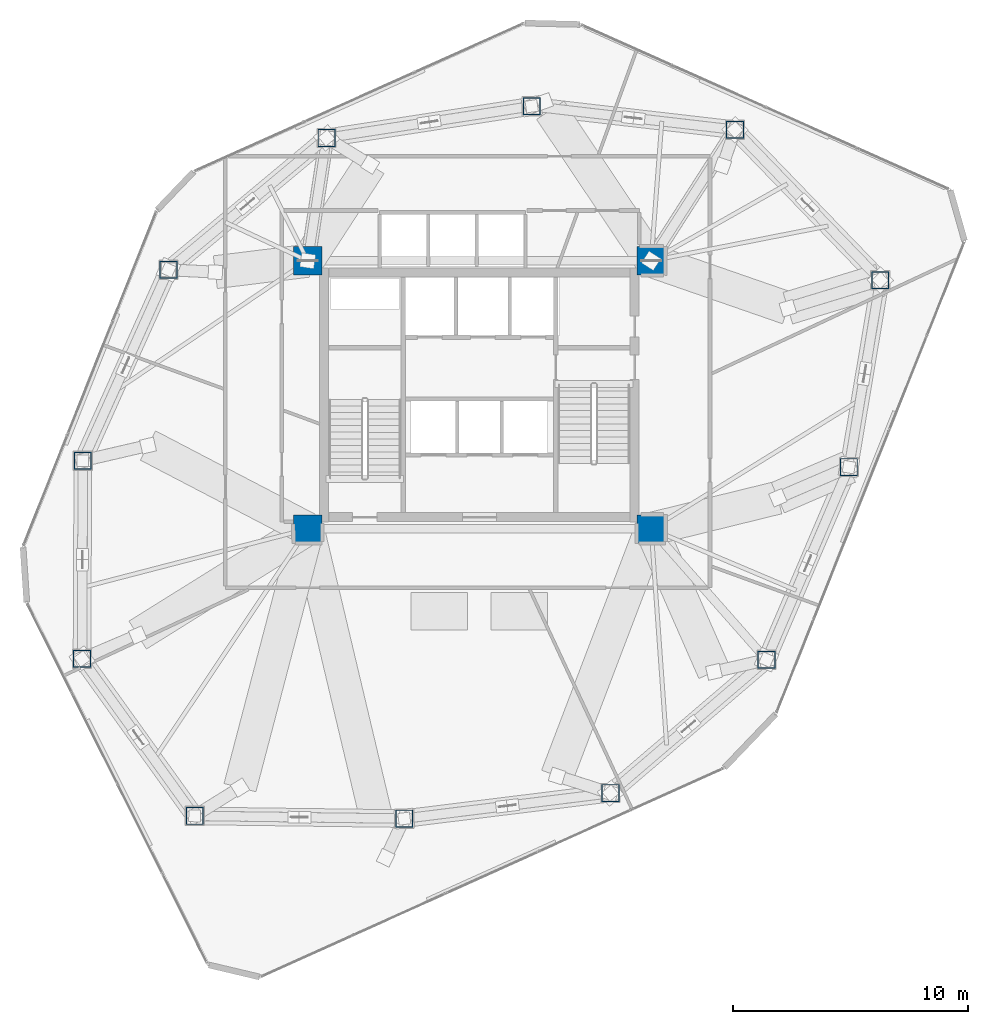
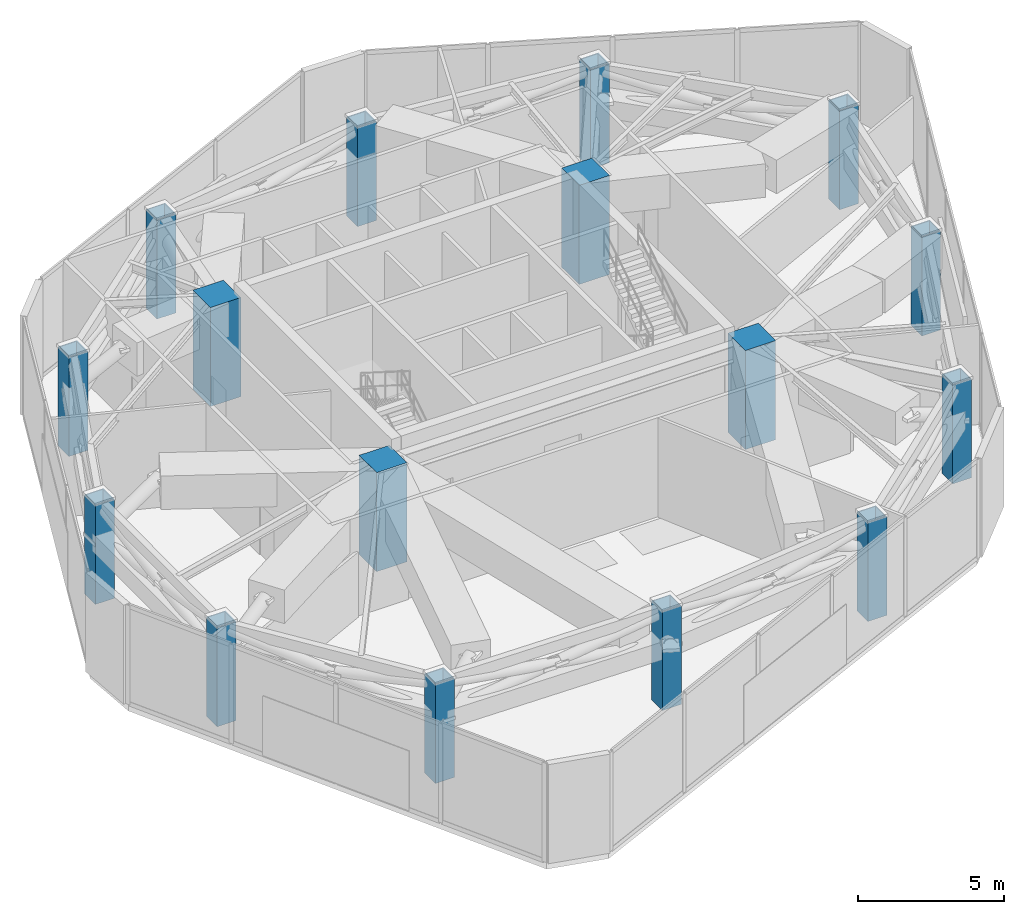
# One storey, part 1 of 21: 16 columns.
"""IFC4 building model written with IfcOpenShell, lengths in metres."""

from ifc_helpers import new_model, si_unit, direction, frame, origin, origin_2d, place, context, subcontext, project, spatial, rectangle, hollow_rectangle, extrude, material, material_profile, profile_set, type_object, element, save


model = new_model("IFC4")

# Units and contexts
model_context = context("Model", 3, precision=1e-05, world=origin(), true_north=direction((0.0, 1.0)))
body_context = subcontext(model_context, "Body", "Model", "MODEL_VIEW")
ifc_project = project(units=[si_unit("LENGTHUNIT", "METRE"), si_unit("AREAUNIT", "SQUARE_METRE"), si_unit("VOLUMEUNIT", "CUBIC_METRE"), si_unit("PLANEANGLEUNIT", "RADIAN"), si_unit("MASSUNIT", "GRAM", prefix="KILO")], contexts=[model_context])

# Site, building, storey
site_placement = place(None, origin())
site = spatial("IfcSite", under=ifc_project, at=site_placement, CompositionType="ELEMENT")
building_placement = place(site_placement, origin())
building = spatial("IfcBuilding", under=site, at=building_placement, Name="Talar Marvaseh", CompositionType="ELEMENT")
storey_placement = place(building_placement, frame((0.0, 0.0, 162.39990234375)))
storey = spatial("IfcBuildingStorey", under=building, at=storey_placement, Name="L42", CompositionType="ELEMENT", Elevation=162.39990234375)

# Columns
ifc_material_1 = material(Name="Steel S460", Category="steel")
ifc_material_profile_1 = material_profile(ifc_material_1, hollow_rectangle(XDim=0.75, YDim=0.75, WallThickness=0.0400390625, at=origin_2d()), Name="BOX750x750x40")
ifc_profile_set_1 = profile_set([ifc_material_profile_1], Name="Steel S460")
column_type_1 = type_object("IfcColumnType", Name="Belt Truss Post BOX750x750x40", PredefinedType="COLUMN", material=ifc_profile_set_1)
for number, where, z_axis, x_axis, name in (
    (1, (36.865966796875, 42.470947265625, 0.0), (0.0, 0.0, 1.0), (1.0, 0.0, 0.0), "L42 Belt Truss Post BOX750x750x40"),
    (2, (43.0439453125, 36.075927734375, 0.0), (0.0, 0.0, 1.0), (1.0, 0.0, 0.0), "L42 Belt Truss Post BOX750x750x40"),
    (3, (41.708984375, 28.1279296875, 0.0), (0.0, 0.0, 1.0), (1.0, 0.0, 0.0), "L42 Belt Truss Post BOX750x750x40"),
    (4, (38.2060546875, 19.94091796875, 0.0), (0.0, 0.0, 1.0), (1.0, 0.0, 0.0), "L42 Belt Truss Post BOX750x750x40"),
    (5, (31.570068359375, 14.26806640625, 0.0), (0.0, 0.0, 1.0), (1.0, 0.0, 0.0), "L42 Belt Truss Post BOX750x750x40"),
    (6, (22.804931640625, 13.18310546875, 0.0), (0.0, 0.0, 1.0), (1.0, 0.0, 0.0), "L42 Belt Truss Post BOX750x750x40"),
    (7, (13.89111328125, 13.299072265625, 0.0), (0.0, 0.0, 1.0), (1.0, 0.0, 0.0), "L42 Belt Truss Post BOX750x750x40"),
    (8, (9.10107421875, 19.97705078125, 0.0), (0.0, 0.0, 1.0), (1.0, 0.0, 0.0), "L42 Belt Truss Post BOX750x750x40"),
    (9, (9.137939453125, 28.402099609375, 0.0), (0.0, 0.0, 1.0), (1.0, 0.0, 0.0), "L42 Belt Truss Post BOX750x750x40"),
    (10, (12.780029296875, 36.51708984375, 0.0), (0.0, 0.0, 1.0), (1.0, 0.0, 0.0), "L42 Belt Truss Post BOX750x750x40"),
    (11, (19.5009765625, 42.123046875, 0.0), (0.0, 0.0, 1.0), (1.0, 0.0, 0.0), "L42 Belt Truss Post BOX750x750x40"),
    (12, (28.221923828125, 43.471923828125, 0.0), (0.0, 0.0, 1.0), (1.0, 0.0, 0.0), "L42 Belt Truss Post BOX750x750x40"),
):
    element("IfcColumn", number, at=place(storey_placement, frame(where, z_axis=z_axis, x_axis=x_axis)), inside=storey, type_object=column_type_1, Name=name, PredefinedType="COLUMN", context=body_context, shape_type="SweptSolid", body=[
        extrude(hollow_rectangle(XDim=0.75, YDim=0.75, WallThickness=0.0400390625, at=origin_2d()), origin(), (0.0, 0.0, 1.0), 4.150146484375),
    ])
ifc_material_2 = material(Name="Concrete C60/75", Category="concrete")
ifc_material_profile_2 = material_profile(ifc_material_2, rectangle(XDim=1.199951171875, YDim=1.199951171875, at=origin_2d()), Name="RC1200x1200")
ifc_profile_set_2 = profile_set([ifc_material_profile_2], Name="Concrete C60/75")
column_type_2 = type_object("IfcColumnType", Name="Zone 2 Tube Column RC1200x1200", PredefinedType="COLUMN", material=ifc_profile_set_2)
for number, where, z_axis, x_axis, name in (
    (13, (18.699951171875, 25.5, 0.0), (0.0, 0.0, 1.0), (1.0, 0.0, 0.0), "L42 Zone 2 Tube Column RC1200x1200"),
    (14, (33.300048828125, 25.5, 0.0), (0.0, 0.0, 1.0), (1.0, 0.0, 0.0), "L42 Zone 2 Tube Column RC1200x1200"),
    (15, (33.300048828125, 36.89990234375, 0.0), (0.0, 0.0, 1.0), (1.0, 0.0, 0.0), "L42 Zone 2 Tube Column RC1200x1200"),
    (16, (18.699951171875, 36.89990234375, 0.0), (0.0, 0.0, 1.0), (1.0, 0.0, 0.0), "L42 Zone 2 Tube Column RC1200x1200"),
):
    element("IfcColumn", number, at=place(storey_placement, frame(where, z_axis=z_axis, x_axis=x_axis)), inside=storey, type_object=column_type_2, Name=name, PredefinedType="COLUMN", context=body_context, shape_type="SweptSolid", body=[
        extrude(rectangle(XDim=1.199951171875, YDim=1.199951171875, at=origin_2d()), origin(), (0.0, 0.0, 1.0), 4.150146484375),
    ])

save(model, "model.ifc")
